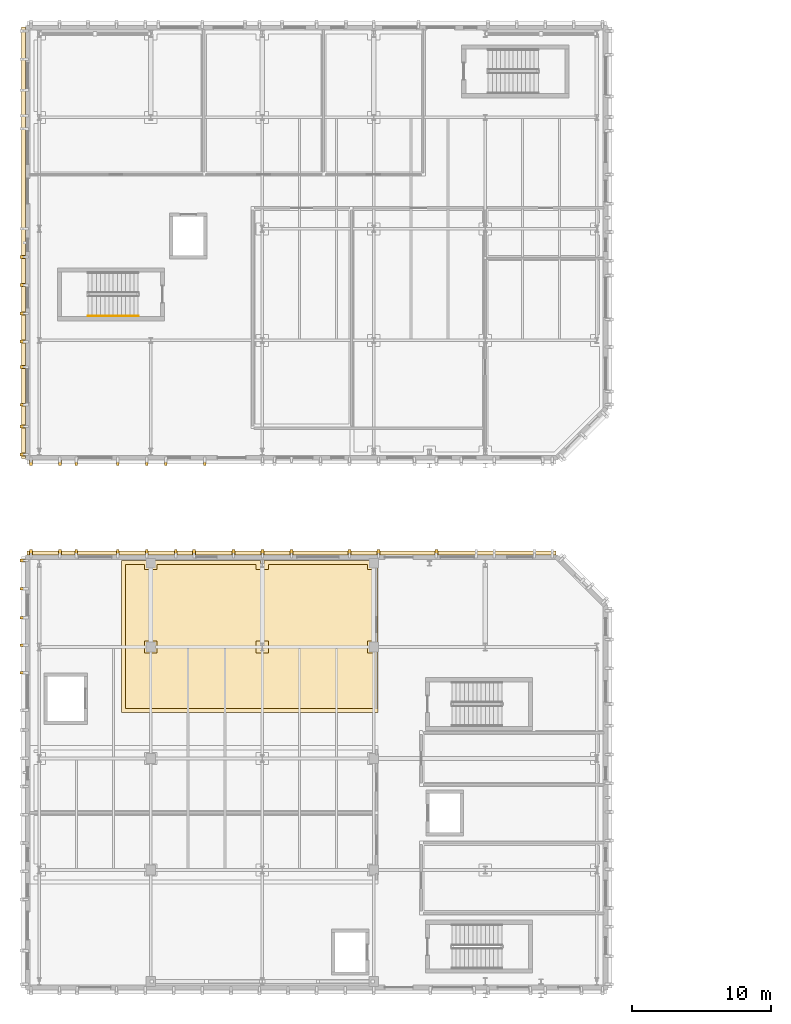
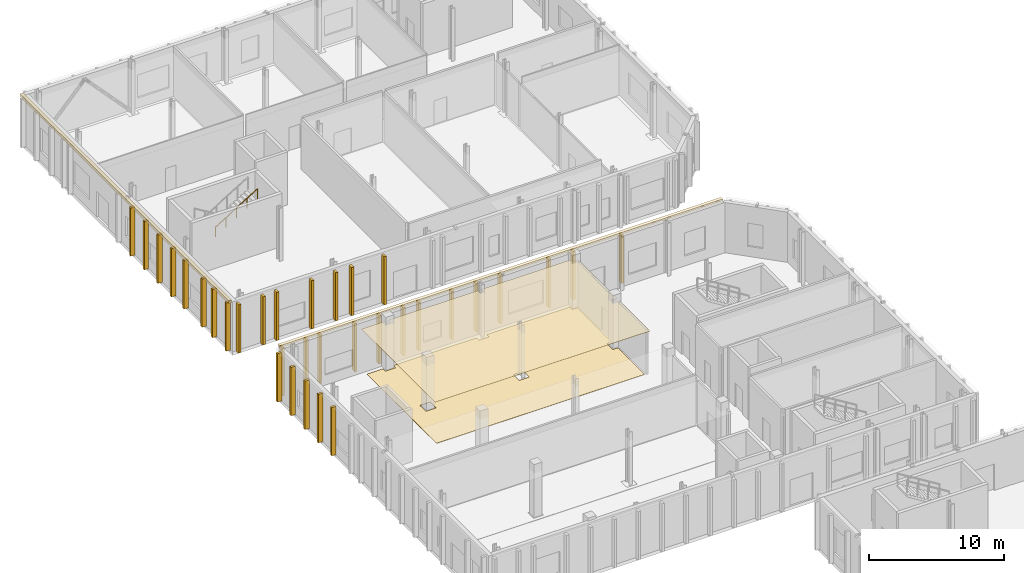
# One storey, part 53 of 60: 37 coverings, 1 railing.
"""IFC4 building model written with IfcOpenShell, lengths in metres."""

import ifcopenshell
import ifcopenshell.guid

model = None  # the IFC model being written
_history = None  # IfcOwnerHistory: only IFC2X3 demands one
_inside = {}  # id of a spatial element -> (the spatial element, [elements in it])
_under = {}  # id of a project, library or spatial element -> (it, [spatial elements below it])
_declared = {}  # id of a project -> (the project, [libraries it declares])
_typed = {}  # id of a type object -> (the type object, [elements of that type])
_made_of = {}  # id of a material, layer set ... -> (it, [elements and type objects made of it])


def new_model(schema):
    """Start an empty IFC model of exactly this schema.

    Asked for "IFC4X3", IfcOpenShell would pick the latest addendum, in which some entities
    have other attributes; the version numbers below select the first issue.
    IFC2X3 requires an IfcOwnerHistory on every rooted entity: one is made here for all.
    """
    global model, _history
    if schema == "IFC4X3":
        model = ifcopenshell.file(schema_version=(4, 3, 0, 0))
    else:
        model = ifcopenshell.file(schema=schema)
    _inside.clear()
    _under.clear()
    _declared.clear()
    _typed.clear()
    _made_of.clear()
    _history = None
    if model.schema == "IFC2X3":
        org = make("IfcOrganization", Name="unknown")
        user = make(
            "IfcPersonAndOrganization",
            ThePerson=make("IfcPerson", FamilyName="unknown"),
            TheOrganization=org,
        )
        app = make(
            "IfcApplication",
            ApplicationDeveloper=org,
            Version="unknown",
            ApplicationFullName="unknown",
            ApplicationIdentifier="unknown",
        )
        _history = make(
            "IfcOwnerHistory",
            OwningUser=user,
            OwningApplication=app,
            ChangeAction="ADDED",
            CreationDate=0,
        )
    return model


def make(cls, **values):
    """One entity of the class cls with the attributes given. An attribute that is None is left unset."""
    return model.create_entity(
        cls, **{name: value for name, value in values.items() if value is not None}
    )


def rooted(cls, **values):
    """An entity with a GlobalId (a new one), such as an element, a storey or a relation."""
    return make(cls, GlobalId=ifcopenshell.guid.new(), OwnerHistory=_history, **values)


def si_unit(unit_type, name, prefix=None):
    """IfcSIUnit, for example si_unit("LENGTHUNIT", "METRE", prefix="MILLI")."""
    return make("IfcSIUnit", UnitType=unit_type, Prefix=prefix, Name=name)


def assignment(units):
    """IfcUnitAssignment: the units of a project."""
    return None if units is None else make("IfcUnitAssignment", Units=units)


def point(xyz):
    """IfcCartesianPoint."""
    return None if xyz is None else make("IfcCartesianPoint", Coordinates=xyz)


def direction(xyz):
    """IfcDirection."""
    return None if xyz is None else make("IfcDirection", DirectionRatios=xyz)


def frame(location, z_axis=None, x_axis=None):
    """IfcAxis2Placement3D, a coordinate frame: its origin and axes. An axis left out is left unset."""
    return make(
        "IfcAxis2Placement3D",
        Location=point(location),
        Axis=direction(z_axis),
        RefDirection=direction(x_axis),
    )


def frame_2d(location, x_axis=None):
    """IfcAxis2Placement2D, a coordinate frame in the plane: its origin and x axis."""
    return make(
        "IfcAxis2Placement2D", Location=point(location), RefDirection=direction(x_axis)
    )


def origin():
    """The frame at (0, 0, 0) with its axes left unset."""
    return frame((0.0, 0.0, 0.0))


def origin_2d():
    """The frame at (0, 0) in the plane with its x axis left unset."""
    return frame_2d((0.0, 0.0))


def place(relative_to, where):
    """IfcLocalPlacement: puts the frame where relative to a parent placement (None: the world)."""
    return make(
        "IfcLocalPlacement", PlacementRelTo=relative_to, RelativePlacement=where
    )


def context(
    kind, dimensions, precision=None, world=None, true_north=None, identifier=None
):
    """IfcGeometricRepresentationContext, for example the 3D "Model" context."""
    return make(
        "IfcGeometricRepresentationContext",
        ContextIdentifier=identifier,
        ContextType=kind,
        CoordinateSpaceDimension=dimensions,
        Precision=precision,
        WorldCoordinateSystem=world,
        TrueNorth=true_north,
    )


def subcontext(parent, identifier, kind, view, scale=None):
    """IfcGeometricRepresentationSubContext, for example "Body" below "Model"."""
    return make(
        "IfcGeometricRepresentationSubContext",
        ContextIdentifier=identifier,
        ContextType=kind,
        ParentContext=parent,
        TargetScale=scale,
        TargetView=view,
    )


def project(units=None, contexts=None):
    """IfcProject with its units and contexts."""
    return rooted(
        "IfcProject",
        Name="project",
        RepresentationContexts=contexts,
        UnitsInContext=assignment(units),
    )


def spatial(cls, under=None, at=None, **own):
    """A site, building, storey or space (cls), placed at a placement, below another one or the project."""
    s = rooted(cls, ObjectPlacement=at, **own)
    if under is not None:
        _under.setdefault(under.id(), (under, []))[1].append(s)
    return s


def polyline(points):
    """IfcPolyline through the points."""
    return make("IfcPolyline", Points=[point(p) for p in points])


def profile(cls, at=None, kind="AREA", **sizes):
    """A parametric profile (cls). Its sizes go by their IFC names, for example OverallWidth=200.0."""
    return make(cls, ProfileType=kind, Position=at, **sizes)


def rectangle(**sizes):
    """IfcRectangleProfileDef."""
    return profile("IfcRectangleProfileDef", **sizes)


def circle(**sizes):
    """IfcCircleProfileDef."""
    return profile("IfcCircleProfileDef", **sizes)


def outline(outer, holes=None, kind="AREA"):
    """IfcArbitraryClosedProfileDef: a profile drawn as a closed curve; with holes, ...WithVoids."""
    if holes is None:
        return make("IfcArbitraryClosedProfileDef", ProfileType=kind, OuterCurve=outer)
    return make(
        "IfcArbitraryProfileDefWithVoids",
        ProfileType=kind,
        OuterCurve=outer,
        InnerCurves=holes,
    )


def extrude(swept, where, along, depth):
    """IfcExtrudedAreaSolid: the profile swept, set in the frame where, extruded along a direction by depth."""
    return make(
        "IfcExtrudedAreaSolid",
        SweptArea=swept,
        Position=where,
        ExtrudedDirection=direction(along),
        Depth=depth,
    )


def shape(context_of_items, identifier, shape_type, items):
    """IfcShapeRepresentation: the items that make up one representation, for example the "Body"."""
    return make(
        "IfcShapeRepresentation",
        ContextOfItems=context_of_items,
        RepresentationIdentifier=identifier,
        RepresentationType=shape_type,
        Items=items,
    )


def material(Name=None, Category=None):
    """IfcMaterial."""
    return make("IfcMaterial", Name=Name, Category=Category)


def layer(
    of_material, thickness, ventilated=None, Name=None, Category=None, Priority=None
):
    """IfcMaterialLayer: one layer of a wall or slab, of a material (None: an air gap)."""
    return make(
        "IfcMaterialLayer",
        Material=of_material,
        LayerThickness=thickness,
        IsVentilated=ventilated,
        Name=Name,
        Category=Category,
        Priority=Priority,
    )


def layer_set(layers, Name=None):
    """IfcMaterialLayerSet."""
    return make("IfcMaterialLayerSet", MaterialLayers=layers, LayerSetName=Name)


def made_of(thing, what):
    """Note that an element or type object is made of a material, layer set ...; save() writes the relation."""
    if what is not None:
        _made_of.setdefault(what.id(), (what, []))[1].append(thing)
    return thing


def type_object(cls, material=None, **own):
    """A type object (cls), such as IfcWallType, which elements share."""
    return made_of(rooted(cls, **own), material)


def element(
    cls,
    number,
    at=None,
    inside=None,
    cuts=None,
    type_object=None,
    material=None,
    context=None,
    identifier="Body",
    shape_type=None,
    held_by="IfcProductDefinitionShape",
    body=None,
    shapes=None,
    **own,
):
    """One element of the class cls, such as IfcWall. Its Tag is "e" and its number.

    at: its placement. inside: the storey or other place that contains it. cuts: it is an
    opening in that element (IfcRelVoidsElement). A single representation is given by context,
    identifier, shape_type and body (its items); several are given by shapes. held_by: the class
    of the entity that holds the representations. save() writes the other relations.
    """
    e = rooted(cls, Tag="e%d" % number, ObjectPlacement=at, **own)
    if body is not None:
        shapes = [shape(context, identifier, shape_type, body)]
    if shapes is not None:
        e.Representation = make(held_by, Representations=shapes)
    if inside is not None:
        _inside.setdefault(inside.id(), (inside, []))[1].append(e)
    if cuts is not None:
        rooted(
            "IfcRelVoidsElement", RelatingBuildingElement=cuts, RelatedOpeningElement=e
        )
    if type_object is not None:
        _typed.setdefault(type_object.id(), (type_object, []))[1].append(e)
    return made_of(e, material)


def aggregate(whole, parts):
    """IfcRelAggregates: a whole, such as a stair, and the parts it consists of."""
    return rooted("IfcRelAggregates", RelatingObject=whole, RelatedObjects=parts)


def save(model, path):
    """Write the relations noted so far, then the file.

    IfcRelAggregates (storeys below a building ...), IfcRelContainedInSpatialStructure (elements
    in a storey), IfcRelDefinesByType, IfcRelAssociatesMaterial and IfcRelDeclares: one each for
    every whole, place, type object, material and project.
    """
    for whole, parts in _under.values():
        aggregate(whole, parts)
    for where, things in _inside.values():
        rooted(
            "IfcRelContainedInSpatialStructure",
            RelatedElements=things,
            RelatingStructure=where,
        )
    for kind, things in _typed.values():
        rooted("IfcRelDefinesByType", RelatedObjects=things, RelatingType=kind)
    for what, things in _made_of.values():
        rooted("IfcRelAssociatesMaterial", RelatedObjects=things, RelatingMaterial=what)
    for by, libraries in _declared.values():
        rooted("IfcRelDeclares", RelatingContext=by, RelatedDefinitions=libraries)
    model.write(path)


model = new_model("IFC4")

# Units and contexts
model_context = context("Model", 3, precision=1e-05, world=origin(), true_north=direction((0.0, 1.0)))
body_context = subcontext(model_context, "Body", "Model", "MODEL_VIEW")
ifc_project = project(units=[si_unit("LENGTHUNIT", "METRE"), si_unit("AREAUNIT", "SQUARE_METRE"), si_unit("VOLUMEUNIT", "CUBIC_METRE"), si_unit("PLANEANGLEUNIT", "RADIAN"), si_unit("MASSUNIT", "GRAM", prefix="KILO")], contexts=[model_context])

# Site, building, storey
site_placement = place(None, origin())
site = spatial("IfcSite", under=ifc_project, at=site_placement, CompositionType="ELEMENT")
building_placement = place(site_placement, origin())
building = spatial("IfcBuilding", under=site, at=building_placement, Name="Cymarion Research Institute", CompositionType="ELEMENT")
storey_placement = place(building_placement, origin())
storey = spatial("IfcBuildingStorey", under=building, at=storey_placement, Name="L00", CompositionType="ELEMENT", Elevation=0.0)

# Coverings
ifc_material_1 = material(Name="Micro-perforated mineral acoustic ceiling tile", Category="gypsum")
ifc_layer_1 = layer(ifc_material_1, 0.030029296875)
ifc_layer_set_1 = layer_set([ifc_layer_1], Name="Micro-perforated mineral acoustic ceiling tile")
covering_type_1 = type_object("IfcCoveringType", Name="ACOUSTIC MICRO-PERFORATED SUSPENDED CEILING CLG-01", PredefinedType="CEILING", material=ifc_layer_set_1)
covering_1_placement = place(storey_placement, frame((0.0, 0.0, 4.0)))
element("IfcCovering", 1, at=covering_1_placement, inside=storey, type_object=covering_type_1, Name="L00 L00 Electron-Beam & Surface Metrology Laboratory acoustic ceiling", PredefinedType="CEILING", context=body_context, shape_type="SweptSolid", body=[
    extrude(outline(polyline([(14.465087890625, 77.715087890625), (14.465087890625, 77.364990234375), (14.735107421875, 77.364990234375), (14.735107421875, 77.715087890625), (22.465087890625, 77.715087890625), (22.465087890625, 77.364990234375), (22.735107421875, 77.364990234375), (22.735107421875, 77.715087890625), (30.465087890625, 77.715087890625), (30.465087890625, 77.364990234375), (30.9150390625, 77.364990234375), (30.9150390625, 71.635009765625), (30.465087890625, 71.635009765625), (30.465087890625, 71.364990234375), (30.9150390625, 71.364990234375), (30.9150390625, 66.784912109375), (12.485107421875, 66.784912109375), (12.485107421875, 77.715087890625), (14.465087890625, 77.715087890625)])), origin(), (0.0, 0.0, 1.0), 0.030029296875),
])
ifc_material_2 = material(Name="Precast concrete C45/55 architectural white", Category="concrete")
ifc_layer_2 = layer(ifc_material_2, 0.260009765625)
ifc_layer_set_2 = layer_set([ifc_layer_2], Name="Precast concrete C45/55 architectural white")
covering_type_2 = type_object("IfcCoveringType", Name="SCULPTURAL WHITE PRECAST CONCRETE SPANDREL BROW BAND RIB2 280MM", PredefinedType="CLADDING", material=ifc_layer_set_2)
covering_2_placement = place(storey_placement, frame((24.699951171875, 78.241943359375, 4.39013671875), z_axis=(0.0, 0.0, 1.0), x_axis=(0.0, 1.0, 0.0)))
element("IfcCovering", 2, at=covering_2_placement, inside=storey, type_object=covering_type_2, Name="L00 V4 precast spandrel brow band RIB2 #111", PredefinedType="CLADDING", context=body_context, shape_type="SweptSolid", body=[
    extrude(rectangle(XDim=0.280029296875, YDim=37.9599609375, at=origin_2d()), origin(), (0.0, 0.0, 1.0), 0.260009765625),
])
covering_3_placement = place(storey_placement, frame((5.4580078125, 100.5, 4.39013671875), z_axis=(0.0, 0.0, 1.0), x_axis=(-1.0, 0.0, 0.0)))
element("IfcCovering", 3, at=covering_3_placement, inside=storey, type_object=covering_type_2, Name="L00 V5 precast spandrel brow band RIB2 #203", PredefinedType="CLADDING", context=body_context, shape_type="SweptSolid", body=[
    extrude(rectangle(XDim=0.280029296875, YDim=30.9599609375, at=origin_2d()), origin(), (0.0, 0.0, 1.0), 0.260009765625),
])
ifc_layer_3 = layer(ifc_material_2, 0.199951171875)
ifc_layer_set_3 = layer_set([ifc_layer_3], Name="Precast concrete C45/55 architectural white")
covering_type_3 = type_object("IfcCoveringType", Name="SCULPTURAL WHITE PRECAST CONCRETE VERTICAL RIB RIB1 380X200", PredefinedType="CLADDING", material=ifc_layer_set_3)
for number, where, z_axis, x_axis, name in (
    (4, (35.0888671875, 78.2919921875, 0.010009765625), (0.0, 0.0, 1.0), (0.0, 1.0, 0.0), "L00 V4 sculptural precast vertical rib RIB1 #116"),
    (5, (30.933349609375, 78.2919921875, 0.010009765625), (0.0, 0.0, 1.0), (0.0, 1.0, 0.0), "L00 V4 sculptural precast vertical rib RIB1 #117"),
    (6, (28.855712890625, 78.2919921875, 0.010009765625), (0.0, 0.0, 1.0), (0.0, 1.0, 0.0), "L00 V4 sculptural precast vertical rib RIB1 #118"),
    (7, (24.699951171875, 78.2919921875, 0.010009765625), (0.0, 0.0, 1.0), (0.0, 1.0, 0.0), "L00 V4 sculptural precast vertical rib RIB1 #119"),
    (8, (22.622314453125, 78.2919921875, 0.010009765625), (0.0, 0.0, 1.0), (0.0, 1.0, 0.0), "L00 V4 sculptural precast vertical rib RIB1 #120"),
    (9, (20.54443359375, 78.2919921875, 0.010009765625), (0.0, 0.0, 1.0), (0.0, 1.0, 0.0), "L00 V4 sculptural precast vertical rib RIB1 #121"),
    (10, (17.7001953125, 78.2919921875, 0.010009765625), (0.0, 0.0, 1.0), (0.0, 1.0, 0.0), "L00 V4 sculptural precast vertical rib RIB1 #122"),
    (11, (16.388916015625, 78.2919921875, 0.010009765625), (0.0, 0.0, 1.0), (0.0, 1.0, 0.0), "L00 V4 sculptural precast vertical rib RIB1 #123"),
    (12, (14.31103515625, 78.2919921875, 0.010009765625), (0.0, 0.0, 1.0), (0.0, 1.0, 0.0), "L00 V4 sculptural precast vertical rib RIB1 #124"),
    (13, (12.2333984375, 78.2919921875, 0.010009765625), (0.0, 0.0, 1.0), (0.0, 1.0, 0.0), "L00 V4 sculptural precast vertical rib RIB1 #125"),
    (14, (9.250244140625, 78.2919921875, 0.010009765625), (0.0, 0.0, 1.0), (0.0, 1.0, 0.0), "L00 V4 sculptural precast vertical rib RIB1 #126"),
    (15, (8.077880859375, 78.2919921875, 0.010009765625), (0.0, 0.0, 1.0), (0.0, 1.0, 0.0), "L00 V4 sculptural precast vertical rib RIB1 #127"),
    (16, (6.0, 78.2919921875, 0.010009765625), (0.0, 0.0, 1.0), (0.0, 1.0, 0.0), "L00 V4 sculptural precast vertical rib RIB1 #128"),
    (17, (5.407958984375, 77.699951171875, 0.010009765625), (0.0, 0.0, 1.0), (-1.0, 0.0, 0.0), "L00 V4 sculptural precast vertical rib RIB1 #130"),
    (18, (5.407958984375, 75.67333984375, 0.010009765625), (0.0, 0.0, 1.0), (-1.0, 0.0, 0.0), "L00 V4 sculptural precast vertical rib RIB1 #131"),
    (19, (5.407958984375, 73.60009765625, 0.010009765625), (0.0, 0.0, 1.0), (-1.0, 0.0, 0.0), "L00 V4 sculptural precast vertical rib RIB1 #132"),
    (20, (5.407958984375, 71.6201171875, 0.010009765625), (0.0, 0.0, 1.0), (-1.0, 0.0, 0.0), "L00 V4 sculptural precast vertical rib RIB1 #133"),
    (21, (5.407958984375, 69.655029296875, 0.010009765625), (0.0, 0.0, 1.0), (-1.0, 0.0, 0.0), "L00 V4 sculptural precast vertical rib RIB1 #134"),
    (22, (6.0, 84.7080078125, 0.010009765625), (0.0, 0.0, 1.0), (0.0, -1.0, 0.0), "L00 V5 sculptural precast vertical rib RIB1 #146"),
    (23, (8.077880859375, 84.7080078125, 0.010009765625), (0.0, 0.0, 1.0), (0.0, -1.0, 0.0), "L00 V5 sculptural precast vertical rib RIB1 #147"),
    (24, (9.25, 84.7080078125, 0.010009765625), (0.0, 0.0, 1.0), (0.0, -1.0, 0.0), "L00 V5 sculptural precast vertical rib RIB1 #148"),
    (25, (12.2333984375, 84.7080078125, 0.010009765625), (0.0, 0.0, 1.0), (0.0, -1.0, 0.0), "L00 V5 sculptural precast vertical rib RIB1 #149"),
    (26, (14.31103515625, 84.7080078125, 0.010009765625), (0.0, 0.0, 1.0), (0.0, -1.0, 0.0), "L00 V5 sculptural precast vertical rib RIB1 #150"),
    (27, (15.669921875, 84.7080078125, 0.010009765625), (0.0, 0.0, 1.0), (0.0, -1.0, 0.0), "L00 V5 sculptural precast vertical rib RIB1 #151"),
    (28, (18.466796875, 84.7080078125, 0.010009765625), (0.0, 0.0, 1.0), (0.0, -1.0, 0.0), "L00 V5 sculptural precast vertical rib RIB1 #152"),
    (29, (5.407958984375, 99.48681640625, 0.010009765625), (0.0, 0.0, 1.0), (-1.0, 0.0, 0.0), "L00 V5 sculptural precast vertical rib RIB1 #210"),
    (30, (5.407958984375, 97.4599609375, 0.010009765625), (0.0, 0.0, 1.0), (-1.0, 0.0, 0.0), "L00 V5 sculptural precast vertical rib RIB1 #211"),
    (31, (5.407958984375, 95.433349609375, 0.010009765625), (0.0, 0.0, 1.0), (-1.0, 0.0, 0.0), "L00 V5 sculptural precast vertical rib RIB1 #212"),
    (32, (5.407958984375, 93.40673828125, 0.010009765625), (0.0, 0.0, 1.0), (-1.0, 0.0, 0.0), "L00 V5 sculptural precast vertical rib RIB1 #213"),
    (33, (5.407958984375, 91.580078125, 0.010009765625), (0.0, 0.0, 1.0), (-1.0, 0.0, 0.0), "L00 V5 sculptural precast vertical rib RIB1 #214"),
    (34, (5.407958984375, 88.8798828125, 0.010009765625), (0.0, 0.0, 1.0), (-1.0, 0.0, 0.0), "L00 V5 sculptural precast vertical rib RIB1 #215"),
    (35, (5.407958984375, 87.32666015625, 0.010009765625), (0.0, 0.0, 1.0), (-1.0, 0.0, 0.0), "L00 V5 sculptural precast vertical rib RIB1 #216"),
    (36, (5.407958984375, 85.300048828125, 0.010009765625), (0.0, 0.0, 1.0), (-1.0, 0.0, 0.0), "L00 V5 sculptural precast vertical rib RIB1 #217"),
):
    element("IfcCovering", number, at=place(storey_placement, frame(where, z_axis=z_axis, x_axis=x_axis)), inside=storey, type_object=covering_type_3, Name=name, PredefinedType="CLADDING", context=body_context, shape_type="SweptSolid", body=[
        extrude(rectangle(XDim=0.3798828125, YDim=0.199951171875, at=origin_2d()), origin(), (0.0, 0.0, 1.0), 4.375),
    ])
ifc_material_3 = material(Name="Seamless dissipative epoxy resin flooring", Category="resin")
ifc_layer_4 = layer(ifc_material_3, 0.02001953125)
ifc_layer_set_4 = layer_set([ifc_layer_4], Name="Seamless dissipative epoxy resin flooring")
covering_type_4 = type_object("IfcCoveringType", Name="SEAMLESS ESD EPOXY LABORATORY FLOORING FLR-01", PredefinedType="FLOORING", material=ifc_layer_set_4)
covering_4_placement = place(storey_placement, origin())
element("IfcCovering", 37, at=covering_4_placement, inside=storey, type_object=covering_type_4, Name="L00 L00 Electron-Beam & Surface Metrology Laboratory ESD epoxy flooring", PredefinedType="FLOORING", context=body_context, shape_type="SweptSolid", body=[
    extrude(outline(polyline([(12.784912109375, 77.4150390625), (14.1650390625, 77.4150390625), (14.1650390625, 77.06494140625), (15.034912109375, 77.06494140625), (15.034912109375, 77.4150390625), (22.1650390625, 77.4150390625), (22.1650390625, 77.06494140625), (23.034912109375, 77.06494140625), (23.034912109375, 77.4150390625), (30.1650390625, 77.4150390625), (30.1650390625, 77.06494140625), (30.614990234375, 77.06494140625), (30.614990234375, 71.93505859375), (30.1650390625, 71.93505859375), (30.1650390625, 71.06494140625), (30.614990234375, 71.06494140625), (30.614990234375, 67.0849609375), (12.784912109375, 67.0849609375), (12.784912109375, 77.4150390625)]), holes=[polyline([(23.034912109375, 71.93505859375), (22.1650390625, 71.93505859375), (22.1650390625, 71.06494140625), (23.034912109375, 71.06494140625), (23.034912109375, 71.93505859375)]), polyline([(15.034912109375, 71.93505859375), (14.1650390625, 71.93505859375), (14.1650390625, 71.06494140625), (15.034912109375, 71.06494140625), (15.034912109375, 71.93505859375)])]), origin(), (0.0, 0.0, 1.0), 0.02001953125),
])

# Railing
ifc_material_4 = material(Name="Steel S355", Category="steel")
railing_type = type_object("IfcRailingType", Name="STAINLESS STEEL STAIR HANDRAIL HR1 900MM", PredefinedType="HANDRAIL", material=ifc_material_4)
railing_placement = place(storey_placement, frame((10.10009765625, 95.25, 2.584716796875)))
element("IfcRailing", 38, at=railing_placement, inside=storey, type_object=railing_type, Name="L00 ST9 stair handrail 2", PredefinedType="HANDRAIL", context=body_context, shape_type="SweptSolid", body=[
    extrude(circle(Radius=0.02392578125, at=origin_2d()), frame((0.0, 0.0, 0.8759765625), z_axis=(0.851654350407, 0.0, 0.524103870844), x_axis=(0.0, 1.0, 0.0)), (0.0, 0.0, 1.0), 4.226806640625),
    extrude(circle(Radius=0.02099609375, at=origin_2d()), origin(), (0.0, 0.0, 1.0), 0.851806640625),
    extrude(circle(Radius=0.02099609375, at=origin_2d()), frame((0.89990234375, 0.0, 0.5537109375)), (0.0, 0.0, 1.0), 0.851806640625),
    extrude(circle(Radius=0.02099609375, at=origin_2d()), frame((1.7998046875, 0.0, 1.107666015625)), (0.0, 0.0, 1.0), 0.851806640625),
    extrude(circle(Radius=0.02099609375, at=origin_2d()), frame((2.699951171875, 0.0, 1.66162109375)), (0.0, 0.0, 1.0), 0.851806640625),
    extrude(circle(Radius=0.02099609375, at=origin_2d()), frame((3.599853515625, 0.0, 2.21533203125)), (0.0, 0.0, 1.0), 0.851806640625),
])

save(model, "model.ifc")
